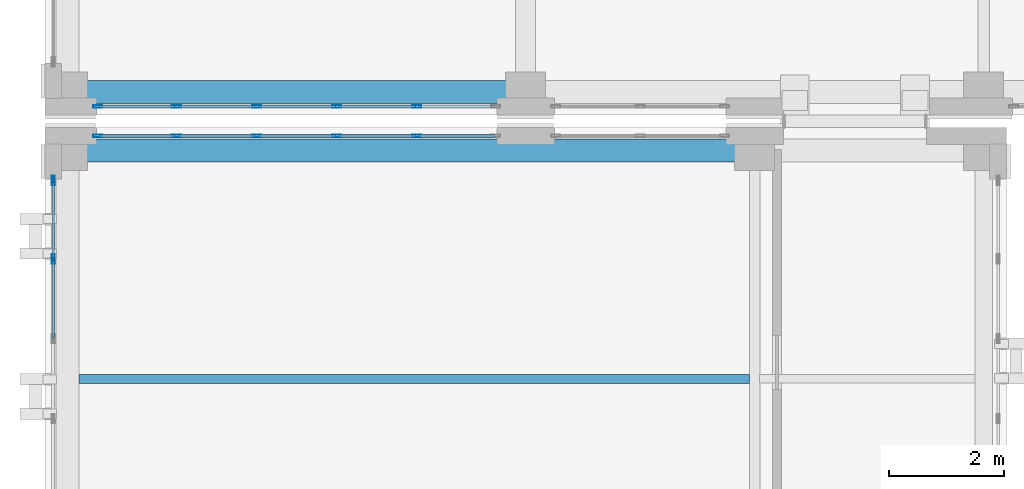
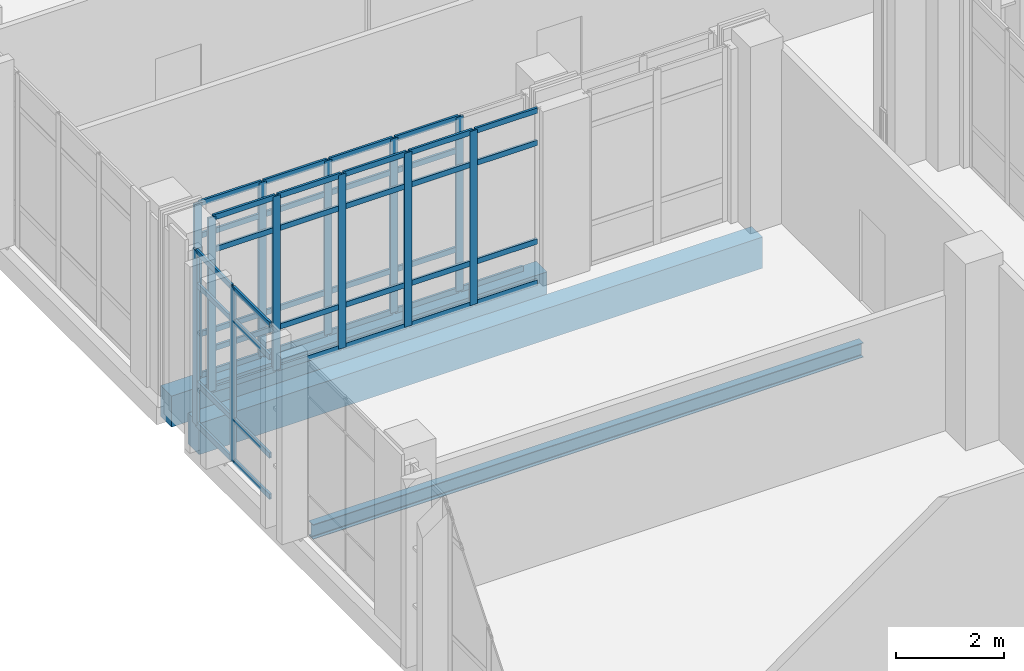
# One storey, part 77 of 165: 57 members, 3 beams, 3 elements without a shape of their own.
"""IFC4 building model written with IfcOpenShell, lengths in metres."""

from ifc_helpers import new_model, si_unit, direction, frame, origin, origin_2d, place, context, subcontext, project, spatial, rectangle, hollow_rectangle, i_section, extrude, material, layer, layer_set, material_profile, profile_set, type_object, element, aggregate, save


model = new_model("IFC4")

# Units and contexts
model_context = context("Model", 3, precision=1e-05, world=origin(), true_north=direction((0.0, 1.0)))
body_context = subcontext(model_context, "Body", "Model", "MODEL_VIEW")
ifc_project = project(units=[si_unit("LENGTHUNIT", "METRE"), si_unit("AREAUNIT", "SQUARE_METRE"), si_unit("VOLUMEUNIT", "CUBIC_METRE"), si_unit("PLANEANGLEUNIT", "RADIAN"), si_unit("MASSUNIT", "GRAM", prefix="KILO")], contexts=[model_context])

# Site, building, storey
site_placement = place(None, origin())
site = spatial("IfcSite", under=ifc_project, at=site_placement, CompositionType="ELEMENT")
building_placement = place(site_placement, origin())
building = spatial("IfcBuilding", under=site, at=building_placement, Name="Qalavern Law Courts", CompositionType="ELEMENT")
storey_placement = place(building_placement, frame((0.0, 0.0, 14.39990234375)))
storey = spatial("IfcBuildingStorey", under=building, at=storey_placement, Name="L03", CompositionType="ELEMENT", Elevation=14.39990234375)

# Curtain wall, members
ifc_material_1 = material(Name="Anodised aluminium and insulated glazing", Category="aluminium")
ifc_layer_1 = layer(ifc_material_1, 0.172119140625)
ifc_layer_set_1 = layer_set([ifc_layer_1], Name="Anodised aluminium and insulated glazing")
curtain_wall_type_1 = type_object("IfcCurtainWallType", Name="ENV-CW-COURT", PredefinedType="USERDEFINED", material=ifc_layer_set_1)
curtain_wall_1_placement = place(storey_placement, origin())
curtain_wall_1 = element("IfcCurtainWall", 1, at=curtain_wall_1_placement, inside=storey, type_object=curtain_wall_type_1, Name="V3 unitised curtain wall L03 north 2", ObjectType="UNITISED CURTAIN WALL", PredefinedType="USERDEFINED")
ifc_material_2 = material(Name="Anodised aluminium", Category="aluminium")
ifc_material_profile_1 = material_profile(ifc_material_2, hollow_rectangle(XDim=0.048095703125, YDim=0.159912109375, WallThickness=0.00390625, at=origin_2d()), Name="ALU MULLION 48x160")
ifc_profile_set_1 = profile_set([ifc_material_profile_1], Name="Anodised aluminium")
member_type_1 = type_object("IfcMemberType", Name="ENV-CWM-48x160", PredefinedType="MULLION", material=ifc_profile_set_1)
member_1_placement = place(storey_placement, frame((8.5, 95.83251953125, 0.0), z_axis=(0.0, 0.0, 1.0), x_axis=(0.0, -1.0, 0.0)))
member_1 = element("IfcMember", 2, at=member_1_placement, type_object=member_type_1, Name="CW-03 mullion 2", PredefinedType="MULLION", context=body_context, shape_type="SweptSolid", body=[
    extrude(hollow_rectangle(XDim=0.048095703125, YDim=0.159912109375, WallThickness=0.00390625, at=origin_2d()), origin(), (0.0, 0.0, 1.0), 3.920166015625),
])
member_2_placement = place(storey_placement, frame((7.10009765625, 95.83251953125, 0.0), z_axis=(0.0, 0.0, 1.0), x_axis=(0.0, -1.0, 0.0)))
member_2 = element("IfcMember", 3, at=member_2_placement, type_object=member_type_1, Name="CW-03 mullion 3", PredefinedType="MULLION", context=body_context, shape_type="SweptSolid", body=[
    extrude(hollow_rectangle(XDim=0.048095703125, YDim=0.159912109375, WallThickness=0.00390625, at=origin_2d()), origin(), (0.0, 0.0, 1.0), 3.920166015625),
])
member_3_placement = place(storey_placement, frame((5.699951171875, 95.83251953125, 0.0), z_axis=(0.0, 0.0, 1.0), x_axis=(0.0, -1.0, 0.0)))
member_3 = element("IfcMember", 4, at=member_3_placement, type_object=member_type_1, Name="CW-03 mullion 4", PredefinedType="MULLION", context=body_context, shape_type="SweptSolid", body=[
    extrude(hollow_rectangle(XDim=0.048095703125, YDim=0.159912109375, WallThickness=0.00390625, at=origin_2d()), origin(), (0.0, 0.0, 1.0), 3.920166015625),
])
member_4_placement = place(storey_placement, frame((4.300048828125, 95.83251953125, 0.0), z_axis=(0.0, 0.0, 1.0), x_axis=(0.0, -1.0, 0.0)))
member_4 = element("IfcMember", 5, at=member_4_placement, type_object=member_type_1, Name="CW-03 mullion 5", PredefinedType="MULLION", context=body_context, shape_type="SweptSolid", body=[
    extrude(hollow_rectangle(XDim=0.048095703125, YDim=0.159912109375, WallThickness=0.00390625, at=origin_2d()), origin(), (0.0, 0.0, 1.0), 3.920166015625),
])
member_5_placement = place(storey_placement, frame((2.924072265625, 95.83251953125, 0.0), z_axis=(0.0, 0.0, 1.0), x_axis=(0.0, -1.0, 0.0)))
member_5 = element("IfcMember", 6, at=member_5_placement, type_object=member_type_1, Name="CW-03 mullion 6", PredefinedType="MULLION", context=body_context, shape_type="SweptSolid", body=[
    extrude(hollow_rectangle(XDim=0.048095703125, YDim=0.159912109375, WallThickness=0.00390625, at=origin_2d()), origin(), (0.0, 0.0, 1.0), 3.920166015625),
])

curtain_wall_2_placement = place(storey_placement, origin())
curtain_wall_2 = element("IfcCurtainWall", 7, at=curtain_wall_2_placement, inside=storey, type_object=curtain_wall_type_1, Name="V3 unitised curtain wall L03 west 1", ObjectType="UNITISED CURTAIN WALL", PredefinedType="USERDEFINED")
member_6_placement = place(storey_placement, frame((2.1474609375, 95.055908203125, 0.0), z_axis=(0.0, 0.0, 1.0), x_axis=(1.0, 0.0, 0.0)))
member_6 = element("IfcMember", 8, at=member_6_placement, type_object=member_type_1, Name="CW-03 mullion 1", PredefinedType="MULLION", context=body_context, shape_type="SweptSolid", body=[
    extrude(hollow_rectangle(XDim=0.048095703125, YDim=0.159912109375, WallThickness=0.00390625, at=origin_2d()), origin(), (0.0, 0.0, 1.0), 3.920166015625),
])
member_7_placement = place(storey_placement, frame((2.1474609375, 93.68408203125, 0.0), z_axis=(0.0, 0.0, 1.0), x_axis=(1.0, 0.0, 0.0)))
member_7 = element("IfcMember", 9, at=member_7_placement, type_object=member_type_1, Name="CW-03 mullion 2", PredefinedType="MULLION", context=body_context, shape_type="SweptSolid", body=[
    extrude(hollow_rectangle(XDim=0.048095703125, YDim=0.159912109375, WallThickness=0.00390625, at=origin_2d()), origin(), (0.0, 0.0, 1.0), 3.920166015625),
])

ifc_layer_2 = layer(ifc_material_1, 0.166015625)
ifc_layer_set_2 = layer_set([ifc_layer_2], Name="Anodised aluminium and insulated glazing")
curtain_wall_type_2 = type_object("IfcCurtainWallType", Name="ENV-CW-LIB", PredefinedType="USERDEFINED", material=ifc_layer_set_2)
curtain_wall_3_placement = place(storey_placement, origin())
curtain_wall_3 = element("IfcCurtainWall", 10, at=curtain_wall_3_placement, inside=storey, type_object=curtain_wall_type_2, Name="V5 unitised curtain wall L03 south 1", ObjectType="UNITISED CURTAIN WALL", PredefinedType="USERDEFINED")
member_8_placement = place(storey_placement, frame((2.924072265625, 96.347412109375, 0.0), z_axis=(0.0, 0.0, 1.0), x_axis=(0.0, 1.0, 0.0)))
member_8 = element("IfcMember", 11, at=member_8_placement, type_object=member_type_1, Name="CW-05 mullion 1", PredefinedType="MULLION", context=body_context, shape_type="SweptSolid", body=[
    extrude(hollow_rectangle(XDim=0.048095703125, YDim=0.159912109375, WallThickness=0.00390625, at=origin_2d()), origin(), (0.0, 0.0, 1.0), 3.920166015625),
])
member_9_placement = place(storey_placement, frame((4.300048828125, 96.347412109375, 0.0), z_axis=(0.0, 0.0, 1.0), x_axis=(0.0, 1.0, 0.0)))
member_9 = element("IfcMember", 12, at=member_9_placement, type_object=member_type_1, Name="CW-05 mullion 2", PredefinedType="MULLION", context=body_context, shape_type="SweptSolid", body=[
    extrude(hollow_rectangle(XDim=0.048095703125, YDim=0.159912109375, WallThickness=0.00390625, at=origin_2d()), origin(), (0.0, 0.0, 1.0), 3.920166015625),
])
member_10_placement = place(storey_placement, frame((5.699951171875, 96.347412109375, 0.0), z_axis=(0.0, 0.0, 1.0), x_axis=(0.0, 1.0, 0.0)))
member_10 = element("IfcMember", 13, at=member_10_placement, type_object=member_type_1, Name="CW-05 mullion 3", PredefinedType="MULLION", context=body_context, shape_type="SweptSolid", body=[
    extrude(hollow_rectangle(XDim=0.048095703125, YDim=0.159912109375, WallThickness=0.00390625, at=origin_2d()), origin(), (0.0, 0.0, 1.0), 3.920166015625),
])
member_11_placement = place(storey_placement, frame((7.10009765625, 96.347412109375, 0.0), z_axis=(0.0, 0.0, 1.0), x_axis=(0.0, 1.0, 0.0)))
member_11 = element("IfcMember", 14, at=member_11_placement, type_object=member_type_1, Name="CW-05 mullion 4", PredefinedType="MULLION", context=body_context, shape_type="SweptSolid", body=[
    extrude(hollow_rectangle(XDim=0.048095703125, YDim=0.159912109375, WallThickness=0.00390625, at=origin_2d()), origin(), (0.0, 0.0, 1.0), 3.920166015625),
])
member_12_placement = place(storey_placement, frame((8.5, 96.347412109375, 0.0), z_axis=(0.0, 0.0, 1.0), x_axis=(0.0, 1.0, 0.0)))
member_12 = element("IfcMember", 15, at=member_12_placement, type_object=member_type_1, Name="CW-05 mullion 5", PredefinedType="MULLION", context=body_context, shape_type="SweptSolid", body=[
    extrude(hollow_rectangle(XDim=0.048095703125, YDim=0.159912109375, WallThickness=0.00390625, at=origin_2d()), origin(), (0.0, 0.0, 1.0), 3.920166015625),
])

# Member
ifc_material_profile_2 = material_profile(ifc_material_2, hollow_rectangle(XDim=0.048095703125, YDim=0.1201171875, WallThickness=0.00390625, at=origin_2d()), Name="ALU TRANSOM 48x120")
ifc_profile_set_2 = profile_set([ifc_material_profile_2], Name="Anodised aluminium")
member_type_2 = type_object("IfcMemberType", Name="ENV-CWT-48x120", PredefinedType="USERDEFINED", material=ifc_profile_set_2)
member_13_placement = place(storey_placement, frame((9.85205078125, 95.83251953125, 0.024169921875), z_axis=(-1.0, 0.0, 0.0), x_axis=(0.0, -1.0, 0.0)))
member_13 = element("IfcMember", 16, at=member_13_placement, type_object=member_type_2, Name="CW-03 transom 1.1", ObjectType="TRANSOM", PredefinedType="USERDEFINED", context=body_context, shape_type="SweptSolid", body=[
    extrude(hollow_rectangle(XDim=0.048095703125, YDim=0.1201171875, WallThickness=0.00390625, at=origin_2d()), origin(), (0.0, 0.0, 1.0), 1.328125),
])

member_14_placement = place(storey_placement, frame((9.85205078125, 95.83251953125, 0.9501953125), z_axis=(-1.0, 0.0, 0.0), x_axis=(0.0, -1.0, 0.0)))
member_14 = element("IfcMember", 17, at=member_14_placement, type_object=member_type_2, Name="CW-03 transom 1.2", ObjectType="TRANSOM", PredefinedType="USERDEFINED", context=body_context, shape_type="SweptSolid", body=[
    extrude(hollow_rectangle(XDim=0.048095703125, YDim=0.1201171875, WallThickness=0.00390625, at=origin_2d()), origin(), (0.0, 0.0, 1.0), 1.328125),
])

member_15_placement = place(storey_placement, frame((9.85205078125, 95.83251953125, 3.170166015625), z_axis=(-1.0, 0.0, 0.0), x_axis=(0.0, -1.0, 0.0)))
member_15 = element("IfcMember", 18, at=member_15_placement, type_object=member_type_2, Name="CW-03 transom 1.3", ObjectType="TRANSOM", PredefinedType="USERDEFINED", context=body_context, shape_type="SweptSolid", body=[
    extrude(hollow_rectangle(XDim=0.048095703125, YDim=0.1201171875, WallThickness=0.00390625, at=origin_2d()), origin(), (0.0, 0.0, 1.0), 1.328125),
])

member_16_placement = place(storey_placement, frame((9.85205078125, 95.83251953125, 3.89599609375), z_axis=(-1.0, 0.0, 0.0), x_axis=(0.0, -1.0, 0.0)))
member_16 = element("IfcMember", 19, at=member_16_placement, type_object=member_type_2, Name="CW-03 transom 1.4", ObjectType="TRANSOM", PredefinedType="USERDEFINED", context=body_context, shape_type="SweptSolid", body=[
    extrude(hollow_rectangle(XDim=0.048095703125, YDim=0.1201171875, WallThickness=0.00390625, at=origin_2d()), origin(), (0.0, 0.0, 1.0), 1.328125),
])

member_17_placement = place(storey_placement, frame((8.47607421875, 95.83251953125, 0.024169921875), z_axis=(-1.0, 0.0, 0.0), x_axis=(0.0, -1.0, 0.0)))
member_17 = element("IfcMember", 20, at=member_17_placement, type_object=member_type_2, Name="CW-03 transom 2.1", ObjectType="TRANSOM", PredefinedType="USERDEFINED", context=body_context, shape_type="SweptSolid", body=[
    extrude(hollow_rectangle(XDim=0.048095703125, YDim=0.1201171875, WallThickness=0.00390625, at=origin_2d()), origin(), (0.0, 0.0, 1.0), 1.35205078125),
])

member_18_placement = place(storey_placement, frame((8.47607421875, 95.83251953125, 0.9501953125), z_axis=(-1.0, 0.0, 0.0), x_axis=(0.0, -1.0, 0.0)))
member_18 = element("IfcMember", 21, at=member_18_placement, type_object=member_type_2, Name="CW-03 transom 2.2", ObjectType="TRANSOM", PredefinedType="USERDEFINED", context=body_context, shape_type="SweptSolid", body=[
    extrude(hollow_rectangle(XDim=0.048095703125, YDim=0.1201171875, WallThickness=0.00390625, at=origin_2d()), origin(), (0.0, 0.0, 1.0), 1.35205078125),
])

member_19_placement = place(storey_placement, frame((8.47607421875, 95.83251953125, 3.170166015625), z_axis=(-1.0, 0.0, 0.0), x_axis=(0.0, -1.0, 0.0)))
member_19 = element("IfcMember", 22, at=member_19_placement, type_object=member_type_2, Name="CW-03 transom 2.3", ObjectType="TRANSOM", PredefinedType="USERDEFINED", context=body_context, shape_type="SweptSolid", body=[
    extrude(hollow_rectangle(XDim=0.048095703125, YDim=0.1201171875, WallThickness=0.00390625, at=origin_2d()), origin(), (0.0, 0.0, 1.0), 1.35205078125),
])

member_20_placement = place(storey_placement, frame((8.47607421875, 95.83251953125, 3.89599609375), z_axis=(-1.0, 0.0, 0.0), x_axis=(0.0, -1.0, 0.0)))
member_20 = element("IfcMember", 23, at=member_20_placement, type_object=member_type_2, Name="CW-03 transom 2.4", ObjectType="TRANSOM", PredefinedType="USERDEFINED", context=body_context, shape_type="SweptSolid", body=[
    extrude(hollow_rectangle(XDim=0.048095703125, YDim=0.1201171875, WallThickness=0.00390625, at=origin_2d()), origin(), (0.0, 0.0, 1.0), 1.35205078125),
])

member_21_placement = place(storey_placement, frame((7.075927734375, 95.83251953125, 0.024169921875), z_axis=(-1.0, 0.0, 0.0), x_axis=(0.0, -1.0, 0.0)))
member_21 = element("IfcMember", 24, at=member_21_placement, type_object=member_type_2, Name="CW-03 transom 3.1", ObjectType="TRANSOM", PredefinedType="USERDEFINED", context=body_context, shape_type="SweptSolid", body=[
    extrude(hollow_rectangle(XDim=0.048095703125, YDim=0.1201171875, WallThickness=0.00390625, at=origin_2d()), origin(), (0.0, 0.0, 1.0), 1.351806640625),
])

member_22_placement = place(storey_placement, frame((7.075927734375, 95.83251953125, 0.9501953125), z_axis=(-1.0, 0.0, 0.0), x_axis=(0.0, -1.0, 0.0)))
member_22 = element("IfcMember", 25, at=member_22_placement, type_object=member_type_2, Name="CW-03 transom 3.2", ObjectType="TRANSOM", PredefinedType="USERDEFINED", context=body_context, shape_type="SweptSolid", body=[
    extrude(hollow_rectangle(XDim=0.048095703125, YDim=0.1201171875, WallThickness=0.00390625, at=origin_2d()), origin(), (0.0, 0.0, 1.0), 1.351806640625),
])

member_23_placement = place(storey_placement, frame((7.075927734375, 95.83251953125, 3.170166015625), z_axis=(-1.0, 0.0, 0.0), x_axis=(0.0, -1.0, 0.0)))
member_23 = element("IfcMember", 26, at=member_23_placement, type_object=member_type_2, Name="CW-03 transom 3.3", ObjectType="TRANSOM", PredefinedType="USERDEFINED", context=body_context, shape_type="SweptSolid", body=[
    extrude(hollow_rectangle(XDim=0.048095703125, YDim=0.1201171875, WallThickness=0.00390625, at=origin_2d()), origin(), (0.0, 0.0, 1.0), 1.351806640625),
])

member_24_placement = place(storey_placement, frame((7.075927734375, 95.83251953125, 3.89599609375), z_axis=(-1.0, 0.0, 0.0), x_axis=(0.0, -1.0, 0.0)))
member_24 = element("IfcMember", 27, at=member_24_placement, type_object=member_type_2, Name="CW-03 transom 3.4", ObjectType="TRANSOM", PredefinedType="USERDEFINED", context=body_context, shape_type="SweptSolid", body=[
    extrude(hollow_rectangle(XDim=0.048095703125, YDim=0.1201171875, WallThickness=0.00390625, at=origin_2d()), origin(), (0.0, 0.0, 1.0), 1.351806640625),
])

member_25_placement = place(storey_placement, frame((5.676025390625, 95.83251953125, 0.024169921875), z_axis=(-1.0, 0.0, 0.0), x_axis=(0.0, -1.0, 0.0)))
member_25 = element("IfcMember", 28, at=member_25_placement, type_object=member_type_2, Name="CW-03 transom 4.1", ObjectType="TRANSOM", PredefinedType="USERDEFINED", context=body_context, shape_type="SweptSolid", body=[
    extrude(hollow_rectangle(XDim=0.048095703125, YDim=0.1201171875, WallThickness=0.00390625, at=origin_2d()), origin(), (0.0, 0.0, 1.0), 1.35205078125),
])

member_26_placement = place(storey_placement, frame((5.676025390625, 95.83251953125, 0.9501953125), z_axis=(-1.0, 0.0, 0.0), x_axis=(0.0, -1.0, 0.0)))
member_26 = element("IfcMember", 29, at=member_26_placement, type_object=member_type_2, Name="CW-03 transom 4.2", ObjectType="TRANSOM", PredefinedType="USERDEFINED", context=body_context, shape_type="SweptSolid", body=[
    extrude(hollow_rectangle(XDim=0.048095703125, YDim=0.1201171875, WallThickness=0.00390625, at=origin_2d()), origin(), (0.0, 0.0, 1.0), 1.35205078125),
])

member_27_placement = place(storey_placement, frame((5.676025390625, 95.83251953125, 3.170166015625), z_axis=(-1.0, 0.0, 0.0), x_axis=(0.0, -1.0, 0.0)))
member_27 = element("IfcMember", 30, at=member_27_placement, type_object=member_type_2, Name="CW-03 transom 4.3", ObjectType="TRANSOM", PredefinedType="USERDEFINED", context=body_context, shape_type="SweptSolid", body=[
    extrude(hollow_rectangle(XDim=0.048095703125, YDim=0.1201171875, WallThickness=0.00390625, at=origin_2d()), origin(), (0.0, 0.0, 1.0), 1.35205078125),
])

member_28_placement = place(storey_placement, frame((5.676025390625, 95.83251953125, 3.89599609375), z_axis=(-1.0, 0.0, 0.0), x_axis=(0.0, -1.0, 0.0)))
member_28 = element("IfcMember", 31, at=member_28_placement, type_object=member_type_2, Name="CW-03 transom 4.4", ObjectType="TRANSOM", PredefinedType="USERDEFINED", context=body_context, shape_type="SweptSolid", body=[
    extrude(hollow_rectangle(XDim=0.048095703125, YDim=0.1201171875, WallThickness=0.00390625, at=origin_2d()), origin(), (0.0, 0.0, 1.0), 1.35205078125),
])

member_29_placement = place(storey_placement, frame((4.27587890625, 95.83251953125, 0.024169921875), z_axis=(-1.0, 0.0, 0.0), x_axis=(0.0, -1.0, 0.0)))
member_29 = element("IfcMember", 32, at=member_29_placement, type_object=member_type_2, Name="CW-03 transom 5.1", ObjectType="TRANSOM", PredefinedType="USERDEFINED", context=body_context, shape_type="SweptSolid", body=[
    extrude(hollow_rectangle(XDim=0.048095703125, YDim=0.1201171875, WallThickness=0.00390625, at=origin_2d()), origin(), (0.0, 0.0, 1.0), 1.327880859375),
])

member_30_placement = place(storey_placement, frame((4.27587890625, 95.83251953125, 0.9501953125), z_axis=(-1.0, 0.0, 0.0), x_axis=(0.0, -1.0, 0.0)))
member_30 = element("IfcMember", 33, at=member_30_placement, type_object=member_type_2, Name="CW-03 transom 5.2", ObjectType="TRANSOM", PredefinedType="USERDEFINED", context=body_context, shape_type="SweptSolid", body=[
    extrude(hollow_rectangle(XDim=0.048095703125, YDim=0.1201171875, WallThickness=0.00390625, at=origin_2d()), origin(), (0.0, 0.0, 1.0), 1.327880859375),
])

member_31_placement = place(storey_placement, frame((4.27587890625, 95.83251953125, 3.170166015625), z_axis=(-1.0, 0.0, 0.0), x_axis=(0.0, -1.0, 0.0)))
member_31 = element("IfcMember", 34, at=member_31_placement, type_object=member_type_2, Name="CW-03 transom 5.3", ObjectType="TRANSOM", PredefinedType="USERDEFINED", context=body_context, shape_type="SweptSolid", body=[
    extrude(hollow_rectangle(XDim=0.048095703125, YDim=0.1201171875, WallThickness=0.00390625, at=origin_2d()), origin(), (0.0, 0.0, 1.0), 1.327880859375),
])

member_32_placement = place(storey_placement, frame((4.27587890625, 95.83251953125, 3.89599609375), z_axis=(-1.0, 0.0, 0.0), x_axis=(0.0, -1.0, 0.0)))
member_32 = element("IfcMember", 35, at=member_32_placement, type_object=member_type_2, Name="CW-03 transom 5.4", ObjectType="TRANSOM", PredefinedType="USERDEFINED", context=body_context, shape_type="SweptSolid", body=[
    extrude(hollow_rectangle(XDim=0.048095703125, YDim=0.1201171875, WallThickness=0.00390625, at=origin_2d()), origin(), (0.0, 0.0, 1.0), 1.327880859375),
])

aggregate(curtain_wall_1, [member_1, member_2, member_3, member_4, member_5, member_13, member_14, member_15, member_16, member_17, member_18, member_19, member_20, member_21, member_22, member_23, member_24, member_25, member_26, member_27, member_28, member_29, member_30, member_31, member_32])

member_33_placement = place(storey_placement, frame((2.1474609375, 95.031982421875, 0.024169921875), z_axis=(0.0, -1.0, 0.0), x_axis=(1.0, 0.0, 0.0)))
member_33 = element("IfcMember", 36, at=member_33_placement, type_object=member_type_2, Name="CW-03 transom 1.1", ObjectType="TRANSOM", PredefinedType="USERDEFINED", context=body_context, shape_type="SweptSolid", body=[
    extrude(hollow_rectangle(XDim=0.048095703125, YDim=0.1201171875, WallThickness=0.00390625, at=origin_2d()), origin(), (0.0, 0.0, 1.0), 1.323974609375),
])

member_34_placement = place(storey_placement, frame((2.1474609375, 95.031982421875, 0.9501953125), z_axis=(0.0, -1.0, 0.0), x_axis=(1.0, 0.0, 0.0)))
member_34 = element("IfcMember", 37, at=member_34_placement, type_object=member_type_2, Name="CW-03 transom 1.2", ObjectType="TRANSOM", PredefinedType="USERDEFINED", context=body_context, shape_type="SweptSolid", body=[
    extrude(hollow_rectangle(XDim=0.048095703125, YDim=0.1201171875, WallThickness=0.00390625, at=origin_2d()), origin(), (0.0, 0.0, 1.0), 1.323974609375),
])

member_35_placement = place(storey_placement, frame((2.1474609375, 95.031982421875, 3.170166015625), z_axis=(0.0, -1.0, 0.0), x_axis=(1.0, 0.0, 0.0)))
member_35 = element("IfcMember", 38, at=member_35_placement, type_object=member_type_2, Name="CW-03 transom 1.3", ObjectType="TRANSOM", PredefinedType="USERDEFINED", context=body_context, shape_type="SweptSolid", body=[
    extrude(hollow_rectangle(XDim=0.048095703125, YDim=0.1201171875, WallThickness=0.00390625, at=origin_2d()), origin(), (0.0, 0.0, 1.0), 1.323974609375),
])

member_36_placement = place(storey_placement, frame((2.1474609375, 95.031982421875, 3.89599609375), z_axis=(0.0, -1.0, 0.0), x_axis=(1.0, 0.0, 0.0)))
member_36 = element("IfcMember", 39, at=member_36_placement, type_object=member_type_2, Name="CW-03 transom 1.4", ObjectType="TRANSOM", PredefinedType="USERDEFINED", context=body_context, shape_type="SweptSolid", body=[
    extrude(hollow_rectangle(XDim=0.048095703125, YDim=0.1201171875, WallThickness=0.00390625, at=origin_2d()), origin(), (0.0, 0.0, 1.0), 1.323974609375),
])

member_37_placement = place(storey_placement, frame((2.1474609375, 93.659912109375, 0.024169921875), z_axis=(0.0, -1.0, 0.0), x_axis=(1.0, 0.0, 0.0)))
member_37 = element("IfcMember", 40, at=member_37_placement, type_object=member_type_2, Name="CW-03 transom 2.1", ObjectType="TRANSOM", PredefinedType="USERDEFINED", context=body_context, shape_type="SweptSolid", body=[
    extrude(hollow_rectangle(XDim=0.048095703125, YDim=0.1201171875, WallThickness=0.00390625, at=origin_2d()), origin(), (0.0, 0.0, 1.0), 1.347900390625),
])

member_38_placement = place(storey_placement, frame((2.1474609375, 93.659912109375, 0.9501953125), z_axis=(0.0, -1.0, 0.0), x_axis=(1.0, 0.0, 0.0)))
member_38 = element("IfcMember", 41, at=member_38_placement, type_object=member_type_2, Name="CW-03 transom 2.2", ObjectType="TRANSOM", PredefinedType="USERDEFINED", context=body_context, shape_type="SweptSolid", body=[
    extrude(hollow_rectangle(XDim=0.048095703125, YDim=0.1201171875, WallThickness=0.00390625, at=origin_2d()), origin(), (0.0, 0.0, 1.0), 1.347900390625),
])

member_39_placement = place(storey_placement, frame((2.1474609375, 93.659912109375, 3.170166015625), z_axis=(0.0, -1.0, 0.0), x_axis=(1.0, 0.0, 0.0)))
member_39 = element("IfcMember", 42, at=member_39_placement, type_object=member_type_2, Name="CW-03 transom 2.3", ObjectType="TRANSOM", PredefinedType="USERDEFINED", context=body_context, shape_type="SweptSolid", body=[
    extrude(hollow_rectangle(XDim=0.048095703125, YDim=0.1201171875, WallThickness=0.00390625, at=origin_2d()), origin(), (0.0, 0.0, 1.0), 1.347900390625),
])

member_40_placement = place(storey_placement, frame((2.1474609375, 93.659912109375, 3.89599609375), z_axis=(0.0, -1.0, 0.0), x_axis=(1.0, 0.0, 0.0)))
member_40 = element("IfcMember", 43, at=member_40_placement, type_object=member_type_2, Name="CW-03 transom 2.4", ObjectType="TRANSOM", PredefinedType="USERDEFINED", context=body_context, shape_type="SweptSolid", body=[
    extrude(hollow_rectangle(XDim=0.048095703125, YDim=0.1201171875, WallThickness=0.00390625, at=origin_2d()), origin(), (0.0, 0.0, 1.0), 1.347900390625),
])

aggregate(curtain_wall_2, [member_6, member_7, member_33, member_34, member_35, member_36, member_37, member_38, member_39, member_40])

member_41_placement = place(storey_placement, frame((2.947998046875, 96.347412109375, 0.024169921875), z_axis=(1.0, 0.0, 0.0), x_axis=(0.0, 1.0, 0.0)))
member_41 = element("IfcMember", 44, at=member_41_placement, type_object=member_type_2, Name="CW-05 transom 1.1", ObjectType="TRANSOM", PredefinedType="USERDEFINED", context=body_context, shape_type="SweptSolid", body=[
    extrude(hollow_rectangle(XDim=0.048095703125, YDim=0.1201171875, WallThickness=0.00390625, at=origin_2d()), origin(), (0.0, 0.0, 1.0), 1.327880859375),
])

member_42_placement = place(storey_placement, frame((2.947998046875, 96.347412109375, 0.9501953125), z_axis=(1.0, 0.0, 0.0), x_axis=(0.0, 1.0, 0.0)))
member_42 = element("IfcMember", 45, at=member_42_placement, type_object=member_type_2, Name="CW-05 transom 1.2", ObjectType="TRANSOM", PredefinedType="USERDEFINED", context=body_context, shape_type="SweptSolid", body=[
    extrude(hollow_rectangle(XDim=0.048095703125, YDim=0.1201171875, WallThickness=0.00390625, at=origin_2d()), origin(), (0.0, 0.0, 1.0), 1.327880859375),
])

member_43_placement = place(storey_placement, frame((2.947998046875, 96.347412109375, 3.170166015625), z_axis=(1.0, 0.0, 0.0), x_axis=(0.0, 1.0, 0.0)))
member_43 = element("IfcMember", 46, at=member_43_placement, type_object=member_type_2, Name="CW-05 transom 1.3", ObjectType="TRANSOM", PredefinedType="USERDEFINED", context=body_context, shape_type="SweptSolid", body=[
    extrude(hollow_rectangle(XDim=0.048095703125, YDim=0.1201171875, WallThickness=0.00390625, at=origin_2d()), origin(), (0.0, 0.0, 1.0), 1.327880859375),
])

member_44_placement = place(storey_placement, frame((2.947998046875, 96.347412109375, 3.89599609375), z_axis=(1.0, 0.0, 0.0), x_axis=(0.0, 1.0, 0.0)))
member_44 = element("IfcMember", 47, at=member_44_placement, type_object=member_type_2, Name="CW-05 transom 1.4", ObjectType="TRANSOM", PredefinedType="USERDEFINED", context=body_context, shape_type="SweptSolid", body=[
    extrude(hollow_rectangle(XDim=0.048095703125, YDim=0.1201171875, WallThickness=0.00390625, at=origin_2d()), origin(), (0.0, 0.0, 1.0), 1.327880859375),
])

member_45_placement = place(storey_placement, frame((4.323974609375, 96.347412109375, 0.024169921875), z_axis=(1.0, 0.0, 0.0), x_axis=(0.0, 1.0, 0.0)))
member_45 = element("IfcMember", 48, at=member_45_placement, type_object=member_type_2, Name="CW-05 transom 2.1", ObjectType="TRANSOM", PredefinedType="USERDEFINED", context=body_context, shape_type="SweptSolid", body=[
    extrude(hollow_rectangle(XDim=0.048095703125, YDim=0.1201171875, WallThickness=0.00390625, at=origin_2d()), origin(), (0.0, 0.0, 1.0), 1.35205078125),
])

member_46_placement = place(storey_placement, frame((4.323974609375, 96.347412109375, 0.9501953125), z_axis=(1.0, 0.0, 0.0), x_axis=(0.0, 1.0, 0.0)))
member_46 = element("IfcMember", 49, at=member_46_placement, type_object=member_type_2, Name="CW-05 transom 2.2", ObjectType="TRANSOM", PredefinedType="USERDEFINED", context=body_context, shape_type="SweptSolid", body=[
    extrude(hollow_rectangle(XDim=0.048095703125, YDim=0.1201171875, WallThickness=0.00390625, at=origin_2d()), origin(), (0.0, 0.0, 1.0), 1.35205078125),
])

member_47_placement = place(storey_placement, frame((4.323974609375, 96.347412109375, 3.170166015625), z_axis=(1.0, 0.0, 0.0), x_axis=(0.0, 1.0, 0.0)))
member_47 = element("IfcMember", 50, at=member_47_placement, type_object=member_type_2, Name="CW-05 transom 2.3", ObjectType="TRANSOM", PredefinedType="USERDEFINED", context=body_context, shape_type="SweptSolid", body=[
    extrude(hollow_rectangle(XDim=0.048095703125, YDim=0.1201171875, WallThickness=0.00390625, at=origin_2d()), origin(), (0.0, 0.0, 1.0), 1.35205078125),
])

member_48_placement = place(storey_placement, frame((4.323974609375, 96.347412109375, 3.89599609375), z_axis=(1.0, 0.0, 0.0), x_axis=(0.0, 1.0, 0.0)))
member_48 = element("IfcMember", 51, at=member_48_placement, type_object=member_type_2, Name="CW-05 transom 2.4", ObjectType="TRANSOM", PredefinedType="USERDEFINED", context=body_context, shape_type="SweptSolid", body=[
    extrude(hollow_rectangle(XDim=0.048095703125, YDim=0.1201171875, WallThickness=0.00390625, at=origin_2d()), origin(), (0.0, 0.0, 1.0), 1.35205078125),
])

member_49_placement = place(storey_placement, frame((5.72412109375, 96.347412109375, 0.024169921875), z_axis=(1.0, 0.0, 0.0), x_axis=(0.0, 1.0, 0.0)))
member_49 = element("IfcMember", 52, at=member_49_placement, type_object=member_type_2, Name="CW-05 transom 3.1", ObjectType="TRANSOM", PredefinedType="USERDEFINED", context=body_context, shape_type="SweptSolid", body=[
    extrude(hollow_rectangle(XDim=0.048095703125, YDim=0.1201171875, WallThickness=0.00390625, at=origin_2d()), origin(), (0.0, 0.0, 1.0), 1.351806640625),
])

member_50_placement = place(storey_placement, frame((5.72412109375, 96.347412109375, 0.9501953125), z_axis=(1.0, 0.0, 0.0), x_axis=(0.0, 1.0, 0.0)))
member_50 = element("IfcMember", 53, at=member_50_placement, type_object=member_type_2, Name="CW-05 transom 3.2", ObjectType="TRANSOM", PredefinedType="USERDEFINED", context=body_context, shape_type="SweptSolid", body=[
    extrude(hollow_rectangle(XDim=0.048095703125, YDim=0.1201171875, WallThickness=0.00390625, at=origin_2d()), origin(), (0.0, 0.0, 1.0), 1.351806640625),
])

member_51_placement = place(storey_placement, frame((5.72412109375, 96.347412109375, 3.170166015625), z_axis=(1.0, 0.0, 0.0), x_axis=(0.0, 1.0, 0.0)))
member_51 = element("IfcMember", 54, at=member_51_placement, type_object=member_type_2, Name="CW-05 transom 3.3", ObjectType="TRANSOM", PredefinedType="USERDEFINED", context=body_context, shape_type="SweptSolid", body=[
    extrude(hollow_rectangle(XDim=0.048095703125, YDim=0.1201171875, WallThickness=0.00390625, at=origin_2d()), origin(), (0.0, 0.0, 1.0), 1.351806640625),
])

member_52_placement = place(storey_placement, frame((5.72412109375, 96.347412109375, 3.89599609375), z_axis=(1.0, 0.0, 0.0), x_axis=(0.0, 1.0, 0.0)))
member_52 = element("IfcMember", 55, at=member_52_placement, type_object=member_type_2, Name="CW-05 transom 3.4", ObjectType="TRANSOM", PredefinedType="USERDEFINED", context=body_context, shape_type="SweptSolid", body=[
    extrude(hollow_rectangle(XDim=0.048095703125, YDim=0.1201171875, WallThickness=0.00390625, at=origin_2d()), origin(), (0.0, 0.0, 1.0), 1.351806640625),
])

member_53_placement = place(storey_placement, frame((7.1240234375, 96.347412109375, 0.024169921875), z_axis=(1.0, 0.0, 0.0), x_axis=(0.0, 1.0, 0.0)))
member_53 = element("IfcMember", 56, at=member_53_placement, type_object=member_type_2, Name="CW-05 transom 4.1", ObjectType="TRANSOM", PredefinedType="USERDEFINED", context=body_context, shape_type="SweptSolid", body=[
    extrude(hollow_rectangle(XDim=0.048095703125, YDim=0.1201171875, WallThickness=0.00390625, at=origin_2d()), origin(), (0.0, 0.0, 1.0), 1.35205078125),
])

member_54_placement = place(storey_placement, frame((7.1240234375, 96.347412109375, 0.9501953125), z_axis=(1.0, 0.0, 0.0), x_axis=(0.0, 1.0, 0.0)))
member_54 = element("IfcMember", 57, at=member_54_placement, type_object=member_type_2, Name="CW-05 transom 4.2", ObjectType="TRANSOM", PredefinedType="USERDEFINED", context=body_context, shape_type="SweptSolid", body=[
    extrude(hollow_rectangle(XDim=0.048095703125, YDim=0.1201171875, WallThickness=0.00390625, at=origin_2d()), origin(), (0.0, 0.0, 1.0), 1.35205078125),
])

member_55_placement = place(storey_placement, frame((7.1240234375, 96.347412109375, 3.170166015625), z_axis=(1.0, 0.0, 0.0), x_axis=(0.0, 1.0, 0.0)))
member_55 = element("IfcMember", 58, at=member_55_placement, type_object=member_type_2, Name="CW-05 transom 4.3", ObjectType="TRANSOM", PredefinedType="USERDEFINED", context=body_context, shape_type="SweptSolid", body=[
    extrude(hollow_rectangle(XDim=0.048095703125, YDim=0.1201171875, WallThickness=0.00390625, at=origin_2d()), origin(), (0.0, 0.0, 1.0), 1.35205078125),
])

member_56_placement = place(storey_placement, frame((7.1240234375, 96.347412109375, 3.89599609375), z_axis=(1.0, 0.0, 0.0), x_axis=(0.0, 1.0, 0.0)))
member_56 = element("IfcMember", 59, at=member_56_placement, type_object=member_type_2, Name="CW-05 transom 4.4", ObjectType="TRANSOM", PredefinedType="USERDEFINED", context=body_context, shape_type="SweptSolid", body=[
    extrude(hollow_rectangle(XDim=0.048095703125, YDim=0.1201171875, WallThickness=0.00390625, at=origin_2d()), origin(), (0.0, 0.0, 1.0), 1.35205078125),
])

member_57_placement = place(storey_placement, frame((8.52392578125, 96.347412109375, 0.024169921875), z_axis=(1.0, 0.0, 0.0), x_axis=(0.0, 1.0, 0.0)))
member_57 = element("IfcMember", 60, at=member_57_placement, type_object=member_type_2, Name="CW-05 transom 5.1", ObjectType="TRANSOM", PredefinedType="USERDEFINED", context=body_context, shape_type="SweptSolid", body=[
    extrude(hollow_rectangle(XDim=0.048095703125, YDim=0.1201171875, WallThickness=0.00390625, at=origin_2d()), origin(), (0.0, 0.0, 1.0), 1.328125),
])

aggregate(curtain_wall_3, [member_8, member_9, member_10, member_11, member_12, member_41, member_42, member_43, member_44, member_45, member_46, member_47, member_48, member_49, member_50, member_51, member_52, member_53, member_54, member_55, member_56, member_57])

# Beams
ifc_material_3 = material(Name="Steel S355", Category="steel")
ifc_material_profile_3 = material_profile(ifc_material_3, i_section(OverallWidth=0.159912109375, OverallDepth=0.330078125, WebThickness=0.007568359375, FlangeThickness=0.011474609375, FilletRadius=0.01806640625, at=origin_2d()), Name="IPE 330")
ifc_profile_set_3 = profile_set([ifc_material_profile_3], Name="Steel S355")
beam_type_1 = type_object("IfcBeamType", Name="STR-JST-IPE330", PredefinedType="JOIST", material=ifc_profile_set_3)
beam_1_placement = place(storey_placement, frame((2.597900390625, 91.590087890625, -0.449951171875), z_axis=(1.0, 0.0, 0.0), x_axis=(0.0, 1.0, 0.0)))
element("IfcBeam", 61, at=beam_1_placement, inside=storey, type_object=beam_type_1, Name="V3 secondary joist 1.7.1 L03", PredefinedType="JOIST", context=body_context, shape_type="SweptSolid", body=[
    extrude(i_section(OverallWidth=0.159912109375, OverallDepth=0.330078125, WebThickness=0.007568359375, FlangeThickness=0.011474609375, FilletRadius=0.01806640625, at=origin_2d()), origin(), (0.0, 0.0, 1.0), 11.714111328125),
])
ifc_material_4 = material(Name="Concrete C40/50", Category="concrete")
ifc_material_profile_4 = material_profile(ifc_material_4, rectangle(XDim=0.39990234375, YDim=0.699951171875, at=origin_2d()), Name="RC 400x700")
ifc_profile_set_4 = profile_set([ifc_material_profile_4], Name="Concrete C40/50")
beam_type_2 = type_object("IfcBeamType", Name="STR-SP-RC400x700", PredefinedType="SPANDREL", material=ifc_profile_set_4)
beam_2_placement = place(storey_placement, frame((2.39990234375, 95.580078125, -0.635009765625), z_axis=(1.0, 0.0, 0.0), x_axis=(0.0, 1.0, 0.0)))
element("IfcBeam", 62, at=beam_2_placement, inside=storey, type_object=beam_type_2, Name="V3 X-beam 8-1 L03", PredefinedType="SPANDREL", context=body_context, shape_type="SweptSolid", body=[
    extrude(rectangle(XDim=0.39990234375, YDim=0.699951171875, at=origin_2d()), origin(), (0.0, 0.0, 1.0), 12.0),
])
beam_3_placement = place(storey_placement, frame((2.39990234375, 96.60009765625, -0.635009765625), z_axis=(1.0, 0.0, 0.0), x_axis=(0.0, 1.0, 0.0)))
element("IfcBeam", 63, at=beam_3_placement, inside=storey, type_object=beam_type_2, Name="V5 X-beam 1-1 L03", PredefinedType="SPANDREL", context=body_context, shape_type="SweptSolid", body=[
    extrude(rectangle(XDim=0.39990234375, YDim=0.699951171875, at=origin_2d()), origin(), (0.0, 0.0, 1.0), 8.0),
])

save(model, "model.ifc")
